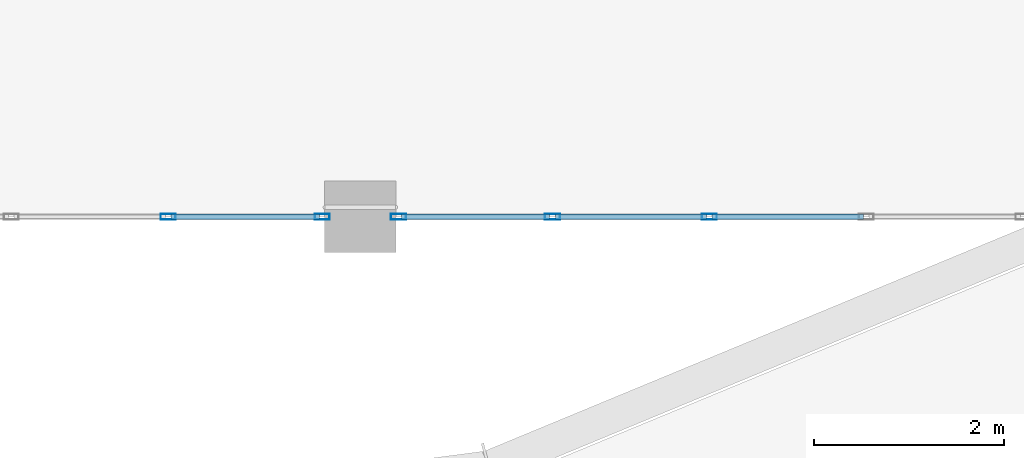
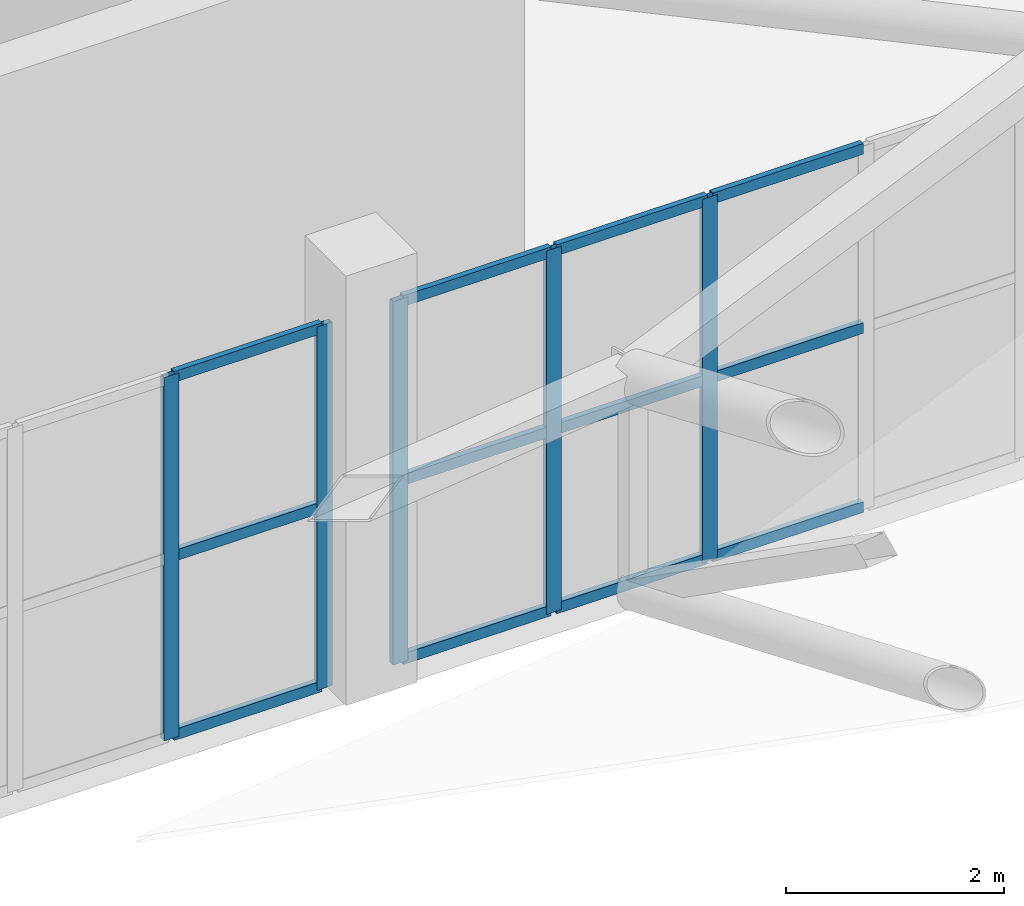
# One storey, part 32 of 167: 17 members, 2 elements without a shape of their own.
"""IFC4 building model written with IfcOpenShell, lengths in metres."""

from ifc_helpers import new_model, si_unit, direction, frame, origin, origin_2d, place, context, subcontext, project, spatial, hollow_rectangle, extrude, material, layer, layer_set, material_profile, profile_set, type_object, element, aggregate, save


model = new_model("IFC4")

# Units and contexts
model_context = context("Model", 3, precision=1e-05, world=origin(), true_north=direction((0.0, 1.0)))
body_context = subcontext(model_context, "Body", "Model", "MODEL_VIEW")
ifc_project = project(units=[si_unit("LENGTHUNIT", "METRE"), si_unit("AREAUNIT", "SQUARE_METRE"), si_unit("VOLUMEUNIT", "CUBIC_METRE"), si_unit("PLANEANGLEUNIT", "RADIAN"), si_unit("MASSUNIT", "GRAM", prefix="KILO")], contexts=[model_context])

# Site, building, storey
site_placement = place(None, origin())
site = spatial("IfcSite", under=ifc_project, at=site_placement, CompositionType="ELEMENT")
building_placement = place(site_placement, origin())
building = spatial("IfcBuilding", under=site, at=building_placement, Name="Dornveld Trade and Exhibition Forum", CompositionType="ELEMENT")
storey_placement = place(building_placement, frame((0.0, 0.0, 16.800048828125)))
storey = spatial("IfcBuildingStorey", under=building, at=storey_placement, Name="L03", CompositionType="ELEMENT", Elevation=16.800048828125)

# Curtain wall, members
ifc_material_1 = material(Name="Dark-bronze anodised aluminium and low-E glass", Category="aluminium")
ifc_layer_1 = layer(ifc_material_1, 0.14501953125)
ifc_layer_set_1 = layer_set([ifc_layer_1], Name="Dark-bronze anodised aluminium and low-E glass")
curtain_wall_type_1 = type_object("IfcCurtainWallType", Name="CW-SYS-01", PredefinedType="USERDEFINED", material=ifc_layer_set_1)
curtain_wall_1_placement = place(storey_placement, origin())
curtain_wall_1 = element("IfcCurtainWall", 1, at=curtain_wall_1_placement, inside=storey, type_object=curtain_wall_type_1, Name="L03 unitised curtain wall 55", ObjectType="UNITISED_CURTAIN_WALL", PredefinedType="USERDEFINED")
ifc_material_2 = material(Name="Dark-bronze anodised aluminium", Category="aluminium")
ifc_material_profile_1 = material_profile(ifc_material_2, hollow_rectangle(XDim=0.06005859375, YDim=0.159912109375, WallThickness=0.00390625, at=origin_2d()), Name="RHS 160x60x4")
ifc_profile_set_1 = profile_set([ifc_material_profile_1], Name="Dark-bronze anodised aluminium")
member_type_1 = type_object("IfcMemberType", Name="CW-MUL-160", PredefinedType="MULLION", material=ifc_profile_set_1)
member_1_placement = place(storey_placement, frame((123.977294921875, 45.0, -0.004150390625), z_axis=(0.0, 0.0, 1.0), x_axis=(0.0, 1.0, 0.0)))
member_1 = element("IfcMember", 2, at=member_1_placement, type_object=member_type_1, Name="CW-01 mullion 5", PredefinedType="MULLION", context=body_context, shape_type="SweptSolid", body=[
    extrude(hollow_rectangle(XDim=0.06005859375, YDim=0.159912109375, WallThickness=0.00390625, at=origin_2d()), origin(), (0.0, 0.0, 1.0), 4.064208984375),
])
member_2_placement = place(storey_placement, frame((125.59912109375, 45.0, -0.004150390625), z_axis=(0.0, 0.0, 1.0), x_axis=(0.0, 1.0, 0.0)))
member_2 = element("IfcMember", 3, at=member_2_placement, type_object=member_type_1, Name="CW-01 mullion 6", PredefinedType="MULLION", context=body_context, shape_type="SweptSolid", body=[
    extrude(hollow_rectangle(XDim=0.06005859375, YDim=0.159912109375, WallThickness=0.00390625, at=origin_2d()), origin(), (0.0, 0.0, 1.0), 4.064208984375),
])

ifc_material_3 = material(Name="Dark-bronze anodised aluminium and low-E glass", Category="aluminium")
ifc_layer_2 = layer(ifc_material_3, 0.14794921875)
ifc_layer_set_2 = layer_set([ifc_layer_2], Name="Dark-bronze anodised aluminium and low-E glass")
curtain_wall_type_2 = type_object("IfcCurtainWallType", Name="CW-SYS-02", PredefinedType="USERDEFINED", material=ifc_layer_set_2)
curtain_wall_2_placement = place(storey_placement, origin())
curtain_wall_2 = element("IfcCurtainWall", 4, at=curtain_wall_2_placement, inside=storey, type_object=curtain_wall_type_2, Name="L03 unitised curtain wall 56", ObjectType="UNITISED_CURTAIN_WALL", PredefinedType="USERDEFINED")
member_3_placement = place(storey_placement, frame((126.40087890625, 45.0, -0.004150390625), z_axis=(0.0, 0.0, 1.0), x_axis=(0.0, 1.0, 0.0)))
member_3 = element("IfcMember", 5, at=member_3_placement, type_object=member_type_1, Name="CW-02 mullion 1", PredefinedType="MULLION", context=body_context, shape_type="SweptSolid", body=[
    extrude(hollow_rectangle(XDim=0.06005859375, YDim=0.159912109375, WallThickness=0.00390625, at=origin_2d()), origin(), (0.0, 0.0, 1.0), 4.064208984375),
])
member_4_placement = place(storey_placement, frame((128.022705078125, 45.0, -0.004150390625), z_axis=(0.0, 0.0, 1.0), x_axis=(0.0, 1.0, 0.0)))
member_4 = element("IfcMember", 6, at=member_4_placement, type_object=member_type_1, Name="CW-02 mullion 2", PredefinedType="MULLION", context=body_context, shape_type="SweptSolid", body=[
    extrude(hollow_rectangle(XDim=0.06005859375, YDim=0.159912109375, WallThickness=0.00390625, at=origin_2d()), origin(), (0.0, 0.0, 1.0), 4.064208984375),
])
member_5_placement = place(storey_placement, frame((129.67431640625, 45.0, -0.004150390625), z_axis=(0.0, 0.0, 1.0), x_axis=(0.0, 1.0, 0.0)))
member_5 = element("IfcMember", 7, at=member_5_placement, type_object=member_type_1, Name="CW-02 mullion 3", PredefinedType="MULLION", context=body_context, shape_type="SweptSolid", body=[
    extrude(hollow_rectangle(XDim=0.06005859375, YDim=0.159912109375, WallThickness=0.00390625, at=origin_2d()), origin(), (0.0, 0.0, 1.0), 4.064208984375),
])

# Member
ifc_material_4 = material(Name="Dark-bronze anodised aluminium", Category="aluminium")
ifc_material_profile_2 = material_profile(ifc_material_4, hollow_rectangle(XDim=0.06005859375, YDim=0.1201171875, WallThickness=0.00390625, at=origin_2d()), Name="RHS 120x60x4")
ifc_profile_set_2 = profile_set([ifc_material_profile_2], Name="Dark-bronze anodised aluminium")
member_type_2 = type_object("IfcMemberType", Name="CW-TRN-120", PredefinedType="USERDEFINED", material=ifc_profile_set_2)
member_6_placement = place(storey_placement, frame((124.00732421875, 45.0, 0.02587890625), z_axis=(1.0, 0.0, 0.0), x_axis=(0.0, 1.0, 0.0)))
member_6 = element("IfcMember", 8, at=member_6_placement, type_object=member_type_2, Name="CW-01 transom 5.1", ObjectType="TRANSOM", PredefinedType="USERDEFINED", context=body_context, shape_type="SweptSolid", body=[
    extrude(hollow_rectangle(XDim=0.06005859375, YDim=0.1201171875, WallThickness=0.00390625, at=origin_2d()), origin(), (0.0, 0.0, 1.0), 1.561767578125),
])

member_7_placement = place(storey_placement, frame((124.00732421875, 45.0, 2.02783203125), z_axis=(1.0, 0.0, 0.0), x_axis=(0.0, 1.0, 0.0)))
member_7 = element("IfcMember", 9, at=member_7_placement, type_object=member_type_2, Name="CW-01 transom 5.2", ObjectType="TRANSOM", PredefinedType="USERDEFINED", context=body_context, shape_type="SweptSolid", body=[
    extrude(hollow_rectangle(XDim=0.06005859375, YDim=0.1201171875, WallThickness=0.00390625, at=origin_2d()), origin(), (0.0, 0.0, 1.0), 1.561767578125),
])

member_8_placement = place(storey_placement, frame((124.00732421875, 45.0, 4.030029296875), z_axis=(1.0, 0.0, 0.0), x_axis=(0.0, 1.0, 0.0)))
member_8 = element("IfcMember", 10, at=member_8_placement, type_object=member_type_2, Name="CW-01 transom 5.3", ObjectType="TRANSOM", PredefinedType="USERDEFINED", context=body_context, shape_type="SweptSolid", body=[
    extrude(hollow_rectangle(XDim=0.06005859375, YDim=0.1201171875, WallThickness=0.00390625, at=origin_2d()), origin(), (0.0, 0.0, 1.0), 1.561767578125),
])

aggregate(curtain_wall_1, [member_1, member_2, member_6, member_7, member_8])

member_9_placement = place(storey_placement, frame((126.430908203125, 45.0, 0.02587890625), z_axis=(1.0, 0.0, 0.0), x_axis=(0.0, 1.0, 0.0)))
member_9 = element("IfcMember", 11, at=member_9_placement, type_object=member_type_2, Name="CW-02 transom 1.1", ObjectType="TRANSOM", PredefinedType="USERDEFINED", context=body_context, shape_type="SweptSolid", body=[
    extrude(hollow_rectangle(XDim=0.06005859375, YDim=0.1201171875, WallThickness=0.00390625, at=origin_2d()), origin(), (0.0, 0.0, 1.0), 1.561767578125),
])

member_10_placement = place(storey_placement, frame((126.430908203125, 45.0, 2.02783203125), z_axis=(1.0, 0.0, 0.0), x_axis=(0.0, 1.0, 0.0)))
member_10 = element("IfcMember", 12, at=member_10_placement, type_object=member_type_2, Name="CW-02 transom 1.2", ObjectType="TRANSOM", PredefinedType="USERDEFINED", context=body_context, shape_type="SweptSolid", body=[
    extrude(hollow_rectangle(XDim=0.06005859375, YDim=0.1201171875, WallThickness=0.00390625, at=origin_2d()), origin(), (0.0, 0.0, 1.0), 1.561767578125),
])

member_11_placement = place(storey_placement, frame((126.430908203125, 45.0, 4.030029296875), z_axis=(1.0, 0.0, 0.0), x_axis=(0.0, 1.0, 0.0)))
member_11 = element("IfcMember", 13, at=member_11_placement, type_object=member_type_2, Name="CW-02 transom 1.3", ObjectType="TRANSOM", PredefinedType="USERDEFINED", context=body_context, shape_type="SweptSolid", body=[
    extrude(hollow_rectangle(XDim=0.06005859375, YDim=0.1201171875, WallThickness=0.00390625, at=origin_2d()), origin(), (0.0, 0.0, 1.0), 1.561767578125),
])

member_12_placement = place(storey_placement, frame((128.052490234375, 45.0, 0.02587890625), z_axis=(1.0, 0.0, 0.0), x_axis=(0.0, 1.0, 0.0)))
member_12 = element("IfcMember", 14, at=member_12_placement, type_object=member_type_2, Name="CW-02 transom 2.1", ObjectType="TRANSOM", PredefinedType="USERDEFINED", context=body_context, shape_type="SweptSolid", body=[
    extrude(hollow_rectangle(XDim=0.06005859375, YDim=0.1201171875, WallThickness=0.00390625, at=origin_2d()), origin(), (0.0, 0.0, 1.0), 1.591796875),
])

member_13_placement = place(storey_placement, frame((128.052490234375, 45.0, 2.02783203125), z_axis=(1.0, 0.0, 0.0), x_axis=(0.0, 1.0, 0.0)))
member_13 = element("IfcMember", 15, at=member_13_placement, type_object=member_type_2, Name="CW-02 transom 2.2", ObjectType="TRANSOM", PredefinedType="USERDEFINED", context=body_context, shape_type="SweptSolid", body=[
    extrude(hollow_rectangle(XDim=0.06005859375, YDim=0.1201171875, WallThickness=0.00390625, at=origin_2d()), origin(), (0.0, 0.0, 1.0), 1.591796875),
])

member_14_placement = place(storey_placement, frame((128.052490234375, 45.0, 4.030029296875), z_axis=(1.0, 0.0, 0.0), x_axis=(0.0, 1.0, 0.0)))
member_14 = element("IfcMember", 16, at=member_14_placement, type_object=member_type_2, Name="CW-02 transom 2.3", ObjectType="TRANSOM", PredefinedType="USERDEFINED", context=body_context, shape_type="SweptSolid", body=[
    extrude(hollow_rectangle(XDim=0.06005859375, YDim=0.1201171875, WallThickness=0.00390625, at=origin_2d()), origin(), (0.0, 0.0, 1.0), 1.591796875),
])

member_15_placement = place(storey_placement, frame((129.7041015625, 45.0, 0.02587890625), z_axis=(1.0, 0.0, 0.0), x_axis=(0.0, 1.0, 0.0)))
member_15 = element("IfcMember", 17, at=member_15_placement, type_object=member_type_2, Name="CW-02 transom 3.1", ObjectType="TRANSOM", PredefinedType="USERDEFINED", context=body_context, shape_type="SweptSolid", body=[
    extrude(hollow_rectangle(XDim=0.06005859375, YDim=0.1201171875, WallThickness=0.00390625, at=origin_2d()), origin(), (0.0, 0.0, 1.0), 1.591796875),
])

member_16_placement = place(storey_placement, frame((129.7041015625, 45.0, 2.02783203125), z_axis=(1.0, 0.0, 0.0), x_axis=(0.0, 1.0, 0.0)))
member_16 = element("IfcMember", 18, at=member_16_placement, type_object=member_type_2, Name="CW-02 transom 3.2", ObjectType="TRANSOM", PredefinedType="USERDEFINED", context=body_context, shape_type="SweptSolid", body=[
    extrude(hollow_rectangle(XDim=0.06005859375, YDim=0.1201171875, WallThickness=0.00390625, at=origin_2d()), origin(), (0.0, 0.0, 1.0), 1.591796875),
])

member_17_placement = place(storey_placement, frame((129.7041015625, 45.0, 4.030029296875), z_axis=(1.0, 0.0, 0.0), x_axis=(0.0, 1.0, 0.0)))
member_17 = element("IfcMember", 19, at=member_17_placement, type_object=member_type_2, Name="CW-02 transom 3.3", ObjectType="TRANSOM", PredefinedType="USERDEFINED", context=body_context, shape_type="SweptSolid", body=[
    extrude(hollow_rectangle(XDim=0.06005859375, YDim=0.1201171875, WallThickness=0.00390625, at=origin_2d()), origin(), (0.0, 0.0, 1.0), 1.591796875),
])

aggregate(curtain_wall_2, [member_3, member_4, member_5, member_9, member_10, member_11, member_12, member_13, member_14, member_15, member_16, member_17])

save(model, "model.ifc")
